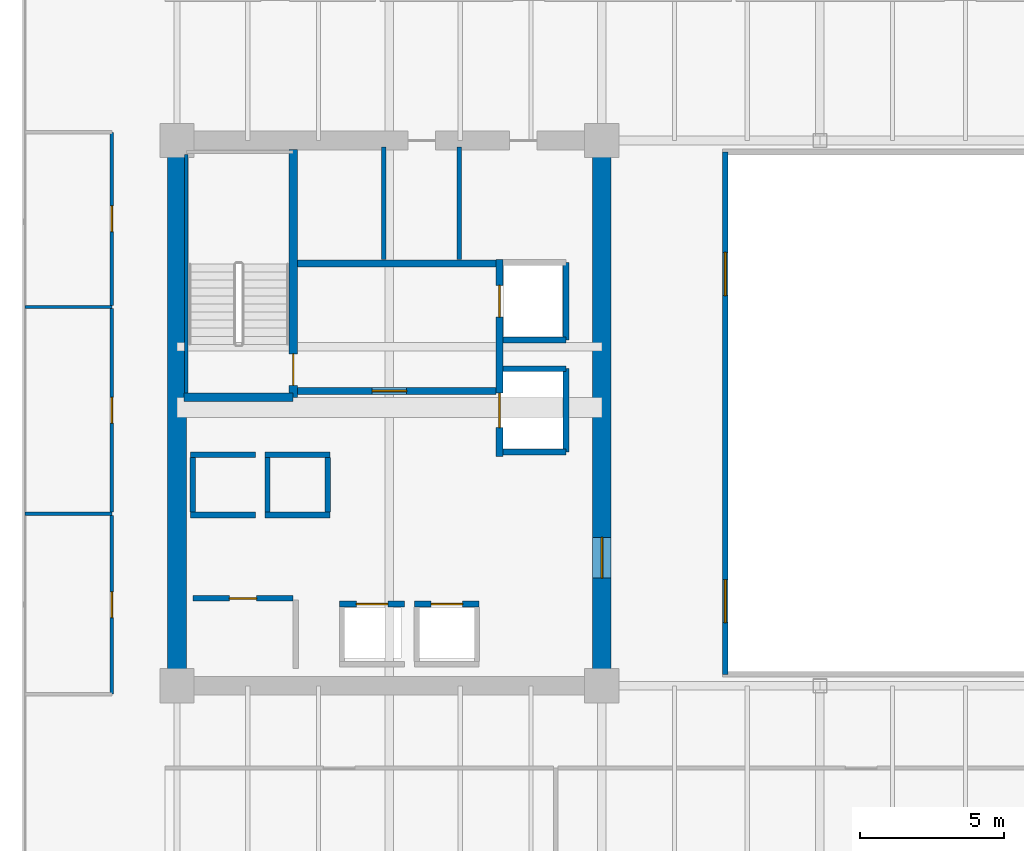
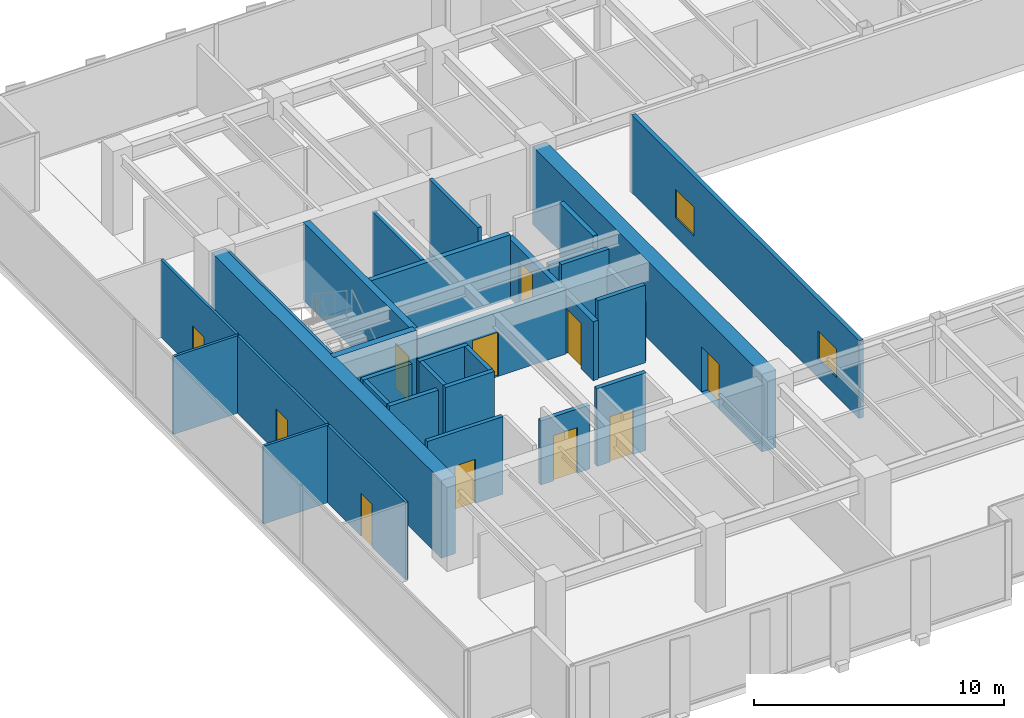
# One storey, part 25 of 34: 31 walls, 11 doors, 2 windows, 13 openings.
"""IFC4 building model written with IfcOpenShell, lengths in metres."""

import ifcopenshell
import ifcopenshell.guid

model = None  # the IFC model being written
_history = None  # IfcOwnerHistory: only IFC2X3 demands one
_inside = {}  # id of a spatial element -> (the spatial element, [elements in it])
_under = {}  # id of a project, library or spatial element -> (it, [spatial elements below it])
_declared = {}  # id of a project -> (the project, [libraries it declares])
_typed = {}  # id of a type object -> (the type object, [elements of that type])
_made_of = {}  # id of a material, layer set ... -> (it, [elements and type objects made of it])


def new_model(schema):
    """Start an empty IFC model of exactly this schema.

    Asked for "IFC4X3", IfcOpenShell would pick the latest addendum, in which some entities
    have other attributes; the version numbers below select the first issue.
    IFC2X3 requires an IfcOwnerHistory on every rooted entity: one is made here for all.
    """
    global model, _history
    if schema == "IFC4X3":
        model = ifcopenshell.file(schema_version=(4, 3, 0, 0))
    else:
        model = ifcopenshell.file(schema=schema)
    _inside.clear()
    _under.clear()
    _declared.clear()
    _typed.clear()
    _made_of.clear()
    _history = None
    if model.schema == "IFC2X3":
        org = make("IfcOrganization", Name="unknown")
        user = make(
            "IfcPersonAndOrganization",
            ThePerson=make("IfcPerson", FamilyName="unknown"),
            TheOrganization=org,
        )
        app = make(
            "IfcApplication",
            ApplicationDeveloper=org,
            Version="unknown",
            ApplicationFullName="unknown",
            ApplicationIdentifier="unknown",
        )
        _history = make(
            "IfcOwnerHistory",
            OwningUser=user,
            OwningApplication=app,
            ChangeAction="ADDED",
            CreationDate=0,
        )
    return model


def make(cls, **values):
    """One entity of the class cls with the attributes given. An attribute that is None is left unset."""
    return model.create_entity(
        cls, **{name: value for name, value in values.items() if value is not None}
    )


def rooted(cls, **values):
    """An entity with a GlobalId (a new one), such as an element, a storey or a relation."""
    return make(cls, GlobalId=ifcopenshell.guid.new(), OwnerHistory=_history, **values)


def si_unit(unit_type, name, prefix=None):
    """IfcSIUnit, for example si_unit("LENGTHUNIT", "METRE", prefix="MILLI")."""
    return make("IfcSIUnit", UnitType=unit_type, Prefix=prefix, Name=name)


def assignment(units):
    """IfcUnitAssignment: the units of a project."""
    return None if units is None else make("IfcUnitAssignment", Units=units)


def point(xyz):
    """IfcCartesianPoint."""
    return None if xyz is None else make("IfcCartesianPoint", Coordinates=xyz)


def direction(xyz):
    """IfcDirection."""
    return None if xyz is None else make("IfcDirection", DirectionRatios=xyz)


def frame(location, z_axis=None, x_axis=None):
    """IfcAxis2Placement3D, a coordinate frame: its origin and axes. An axis left out is left unset."""
    return make(
        "IfcAxis2Placement3D",
        Location=point(location),
        Axis=direction(z_axis),
        RefDirection=direction(x_axis),
    )


def frame_2d(location, x_axis=None):
    """IfcAxis2Placement2D, a coordinate frame in the plane: its origin and x axis."""
    return make(
        "IfcAxis2Placement2D", Location=point(location), RefDirection=direction(x_axis)
    )


def origin():
    """The frame at (0, 0, 0) with its axes left unset."""
    return frame((0.0, 0.0, 0.0))


def place(relative_to, where):
    """IfcLocalPlacement: puts the frame where relative to a parent placement (None: the world)."""
    return make(
        "IfcLocalPlacement", PlacementRelTo=relative_to, RelativePlacement=where
    )


def context(
    kind, dimensions, precision=None, world=None, true_north=None, identifier=None
):
    """IfcGeometricRepresentationContext, for example the 3D "Model" context."""
    return make(
        "IfcGeometricRepresentationContext",
        ContextIdentifier=identifier,
        ContextType=kind,
        CoordinateSpaceDimension=dimensions,
        Precision=precision,
        WorldCoordinateSystem=world,
        TrueNorth=true_north,
    )


def subcontext(parent, identifier, kind, view, scale=None):
    """IfcGeometricRepresentationSubContext, for example "Body" below "Model"."""
    return make(
        "IfcGeometricRepresentationSubContext",
        ContextIdentifier=identifier,
        ContextType=kind,
        ParentContext=parent,
        TargetScale=scale,
        TargetView=view,
    )


def project(units=None, contexts=None):
    """IfcProject with its units and contexts."""
    return rooted(
        "IfcProject",
        Name="project",
        RepresentationContexts=contexts,
        UnitsInContext=assignment(units),
    )


def spatial(cls, under=None, at=None, **own):
    """A site, building, storey or space (cls), placed at a placement, below another one or the project."""
    s = rooted(cls, ObjectPlacement=at, **own)
    if under is not None:
        _under.setdefault(under.id(), (under, []))[1].append(s)
    return s


def profile(cls, at=None, kind="AREA", **sizes):
    """A parametric profile (cls). Its sizes go by their IFC names, for example OverallWidth=200.0."""
    return make(cls, ProfileType=kind, Position=at, **sizes)


def rectangle(**sizes):
    """IfcRectangleProfileDef."""
    return profile("IfcRectangleProfileDef", **sizes)


def extrude(swept, where, along, depth):
    """IfcExtrudedAreaSolid: the profile swept, set in the frame where, extruded along a direction by depth."""
    return make(
        "IfcExtrudedAreaSolid",
        SweptArea=swept,
        Position=where,
        ExtrudedDirection=direction(along),
        Depth=depth,
    )


def shape(context_of_items, identifier, shape_type, items):
    """IfcShapeRepresentation: the items that make up one representation, for example the "Body"."""
    return make(
        "IfcShapeRepresentation",
        ContextOfItems=context_of_items,
        RepresentationIdentifier=identifier,
        RepresentationType=shape_type,
        Items=items,
    )


def source(mapping_origin, context_of_items, identifier, shape_type, items):
    """IfcRepresentationMap: a shape defined once, which mapped items show again and again."""
    return make(
        "IfcRepresentationMap",
        MappingOrigin=mapping_origin,
        MappedRepresentation=shape(context_of_items, identifier, shape_type, items),
    )


def transform(
    local_origin,
    x_axis=None,
    y_axis=None,
    z_axis=None,
    scale=None,
    scale2=None,
    scale3=None,
    uniform=True,
):
    """IfcCartesianTransformationOperator3D, or its non-uniform kind. x_axis, y_axis, z_axis: its Axis1, 2, 3."""
    if uniform:
        return make(
            "IfcCartesianTransformationOperator3D",
            Axis1=direction(x_axis),
            Axis2=direction(y_axis),
            LocalOrigin=point(local_origin),
            Scale=scale,
            Axis3=direction(z_axis),
        )
    return make(
        "IfcCartesianTransformationOperator3DnonUniform",
        Axis1=direction(x_axis),
        Axis2=direction(y_axis),
        LocalOrigin=point(local_origin),
        Scale=scale,
        Axis3=direction(z_axis),
        Scale2=scale2,
        Scale3=scale3,
    )


def mapped(mapping_source, mapping_target):
    """IfcMappedItem: shows the shape of a source again, moved by a transform."""
    return make(
        "IfcMappedItem", MappingSource=mapping_source, MappingTarget=mapping_target
    )


def material(Name=None, Category=None):
    """IfcMaterial."""
    return make("IfcMaterial", Name=Name, Category=Category)


def layer(
    of_material, thickness, ventilated=None, Name=None, Category=None, Priority=None
):
    """IfcMaterialLayer: one layer of a wall or slab, of a material (None: an air gap)."""
    return make(
        "IfcMaterialLayer",
        Material=of_material,
        LayerThickness=thickness,
        IsVentilated=ventilated,
        Name=Name,
        Category=Category,
        Priority=Priority,
    )


def layer_set(layers, Name=None):
    """IfcMaterialLayerSet."""
    return make("IfcMaterialLayerSet", MaterialLayers=layers, LayerSetName=Name)


def made_of(thing, what):
    """Note that an element or type object is made of a material, layer set ...; save() writes the relation."""
    if what is not None:
        _made_of.setdefault(what.id(), (what, []))[1].append(thing)
    return thing


def type_object(cls, material=None, **own):
    """A type object (cls), such as IfcWallType, which elements share."""
    return made_of(rooted(cls, **own), material)


def type_shapes(of_type, sources):
    """Give a type object the sources (RepresentationMaps) that its elements show as mapped items."""
    of_type.RepresentationMaps = sources


def element(
    cls,
    number,
    at=None,
    inside=None,
    cuts=None,
    type_object=None,
    material=None,
    context=None,
    identifier="Body",
    shape_type=None,
    held_by="IfcProductDefinitionShape",
    body=None,
    shapes=None,
    **own,
):
    """One element of the class cls, such as IfcWall. Its Tag is "e" and its number.

    at: its placement. inside: the storey or other place that contains it. cuts: it is an
    opening in that element (IfcRelVoidsElement). A single representation is given by context,
    identifier, shape_type and body (its items); several are given by shapes. held_by: the class
    of the entity that holds the representations. save() writes the other relations.
    """
    e = rooted(cls, Tag="e%d" % number, ObjectPlacement=at, **own)
    if body is not None:
        shapes = [shape(context, identifier, shape_type, body)]
    if shapes is not None:
        e.Representation = make(held_by, Representations=shapes)
    if inside is not None:
        _inside.setdefault(inside.id(), (inside, []))[1].append(e)
    if cuts is not None:
        rooted(
            "IfcRelVoidsElement", RelatingBuildingElement=cuts, RelatedOpeningElement=e
        )
    if type_object is not None:
        _typed.setdefault(type_object.id(), (type_object, []))[1].append(e)
    return made_of(e, material)


def fill(opening, filler):
    """IfcRelFillsElement: the door or window that sits in an opening."""
    return rooted(
        "IfcRelFillsElement",
        RelatingOpeningElement=opening,
        RelatedBuildingElement=filler,
    )


def aggregate(whole, parts):
    """IfcRelAggregates: a whole, such as a stair, and the parts it consists of."""
    return rooted("IfcRelAggregates", RelatingObject=whole, RelatedObjects=parts)


def save(model, path):
    """Write the relations noted so far, then the file.

    IfcRelAggregates (storeys below a building ...), IfcRelContainedInSpatialStructure (elements
    in a storey), IfcRelDefinesByType, IfcRelAssociatesMaterial and IfcRelDeclares: one each for
    every whole, place, type object, material and project.
    """
    for whole, parts in _under.values():
        aggregate(whole, parts)
    for where, things in _inside.values():
        rooted(
            "IfcRelContainedInSpatialStructure",
            RelatedElements=things,
            RelatingStructure=where,
        )
    for kind, things in _typed.values():
        rooted("IfcRelDefinesByType", RelatedObjects=things, RelatingType=kind)
    for what, things in _made_of.values():
        rooted("IfcRelAssociatesMaterial", RelatedObjects=things, RelatingMaterial=what)
    for by, libraries in _declared.values():
        rooted("IfcRelDeclares", RelatingContext=by, RelatedDefinitions=libraries)
    model.write(path)


model = new_model("IFC4")

# Units and contexts
model_context = context("Model", 3, precision=1e-05, world=origin(), true_north=direction((0.0, 1.0)))
body_context = subcontext(model_context, "Body", "Model", "MODEL_VIEW")
ifc_project = project(units=[si_unit("LENGTHUNIT", "METRE"), si_unit("AREAUNIT", "SQUARE_METRE"), si_unit("VOLUMEUNIT", "CUBIC_METRE"), si_unit("PLANEANGLEUNIT", "RADIAN"), si_unit("MASSUNIT", "GRAM", prefix="KILO")], contexts=[model_context])

# Site, building, storey
site_placement = place(None, origin())
site = spatial("IfcSite", under=ifc_project, at=site_placement, CompositionType="ELEMENT")
building_placement = place(site_placement, origin())
building = spatial("IfcBuilding", under=site, at=building_placement, Name="Haelvirn Gate Laboratories", CompositionType="ELEMENT")
storey_placement = place(building_placement, frame((0.0, 0.0, 109.199951171875)))
storey = spatial("IfcBuildingStorey", under=building, at=storey_placement, Name="L26", CompositionType="ELEMENT", Elevation=109.199951171875)

# Wall, openings, windows
ifc_material_1 = material(Name="Tempered fire-rated borosilicate glass & anodised aluminium", Category="aluminium")
ifc_layer_1 = layer(ifc_material_1, 0.195068359375, Name="IW-GLAZ-200")
ifc_layer_set_1 = layer_set([ifc_layer_1], Name="Tempered fire-rated borosilicate glass & anodised aluminium")
wall_type_1 = type_object("IfcWallType", Name="IW-GLAZ-200", PredefinedType="SOLIDWALL", material=ifc_layer_set_1)
wall_1_placement = place(storey_placement, frame((26.5, 15.199951171875, 0.0), z_axis=(0.0, 0.0, 1.0), x_axis=(0.0, 1.0, 0.0)))
wall_1 = element("IfcWall", 1, at=wall_1_placement, inside=storey, type_object=wall_type_1, Name="L26 Interior Wall IW-L26-ATRIUM-W", PredefinedType="SOLIDWALL", context=body_context, shape_type="SweptSolid", body=[
    extrude(rectangle(XDim=18.199951171875, YDim=0.195068359375, at=frame_2d((9.10009765625, 0.0))), origin(), (0.0, 0.0, 1.0), 3.7900390625),
])
opening_1_placement = place(wall_1_placement, frame((1.800048828125, 0.0, 0.89990234375)))
opening_1 = element("IfcOpeningElement", 2, at=opening_1_placement, cuts=wall_1, Name="Opening W5", PredefinedType="OPENING", context=body_context, shape_type="SweptSolid", body=[
    extrude(rectangle(XDim=1.5, YDim=1.39990234375, at=frame_2d((0.75, 0.699951171875))), frame((0.0, 0.107421875, 0.0), z_axis=(0.0, -1.0, 0.0), x_axis=(1.0, 0.0, 0.0)), (0.0, 0.0, 1.0), 0.215087890625),
])
opening_2_placement = place(wall_1_placement, frame((13.199951171875, 0.0, 0.89990234375)))
opening_2 = element("IfcOpeningElement", 3, at=opening_2_placement, cuts=wall_1, Name="Opening W5", PredefinedType="OPENING", context=body_context, shape_type="SweptSolid", body=[
    extrude(rectangle(XDim=1.5, YDim=1.39990234375, at=frame_2d((0.75, 0.699951171875))), frame((0.0, 0.107421875, 0.0), z_axis=(0.0, -1.0, 0.0), x_axis=(1.0, 0.0, 0.0)), (0.0, 0.0, 1.0), 0.215087890625),
])
ifc_material_2 = material(Name="Fire-rated EI 120 borosilicate atrium vision glazing", Category="glass")
window_type = type_object("IfcWindowType", Name="WN-ATR-1500", PartitioningType="SINGLE_PANEL", PredefinedType="WINDOW", material=ifc_material_2)
shared_shape_1 = source(origin(), body_context, "Body", "SweptSolid", [
    extrude(rectangle(XDim=1.5, YDim=1.39990234375, at=frame_2d((0.75, 0.699951171875))), frame((0.0, 0.030029296875, 0.0), z_axis=(0.0, -1.0, 0.0), x_axis=(1.0, 0.0, 0.0)), (0.0, 0.0, 1.0), 0.06005859375),
])
type_shapes(window_type, [shared_shape_1])
window_1_placement = place(opening_1_placement, origin())
window_1 = element("IfcWindow", 4, at=window_1_placement, inside=storey, type_object=window_type, Name="L26 Atrium Observation Window 1", OverallHeight=1.39990234375, OverallWidth=1.5, PartitioningType="SINGLE_PANEL", PredefinedType="WINDOW", context=body_context, shape_type="MappedRepresentation", body=[
    mapped(shared_shape_1, transform((0.0, 0.0, 0.0), scale=1.0)),
])
fill(opening_1, window_1)
window_2_placement = place(opening_2_placement, origin())
window_2 = element("IfcWindow", 5, at=window_2_placement, inside=storey, type_object=window_type, Name="L26 Atrium Observation Window 2", OverallHeight=1.39990234375, OverallWidth=1.5, PartitioningType="SINGLE_PANEL", PredefinedType="WINDOW", context=body_context, shape_type="MappedRepresentation", body=[
    mapped(shared_shape_1, transform((0.0, 0.0, 0.0), scale=1.0)),
])
fill(opening_2, window_2)

# Wall, opening, door
ifc_material_3 = material(Name="Lightweight acoustic gypsum board partition", Category="gypsum")
ifc_layer_2 = layer(ifc_material_3, 0.1201171875, Name="IW-PART-120")
ifc_layer_set_2 = layer_set([ifc_layer_2], Name="Lightweight acoustic gypsum board partition")
wall_type_2 = type_object("IfcWallType", Name="IW-PART-120", PredefinedType="PARTITIONING", material=ifc_layer_set_2)
wall_2_placement = place(storey_placement, frame((5.1298828125, 14.514892578125, 0.0), z_axis=(0.0, 0.0, 1.0), x_axis=(0.0, 1.0, 0.0)))
wall_2 = element("IfcWall", 6, at=wall_2_placement, inside=storey, type_object=wall_type_2, Name="L26 Interior Wall IW-L26-WPASS-01", PredefinedType="PARTITIONING", context=body_context, shape_type="SweptSolid", body=[
    extrude(rectangle(XDim=6.22509765625, YDim=0.1201171875, at=frame_2d((3.112548828125, 0.0))), origin(), (0.0, 0.0, 1.0), 3.7900390625),
])
opening_3_placement = place(wall_2_placement, frame((2.66259765625, 0.0, 0.0)))
opening_3 = element("IfcOpeningElement", 7, at=opening_3_placement, cuts=wall_2, Name="Opening D4", PredefinedType="OPENING", context=body_context, shape_type="SweptSolid", body=[
    extrude(rectangle(XDim=0.89990234375, YDim=2.10009765625, at=frame_2d((0.449951171875, 1.050048828125))), frame((0.0, 0.070068359375, 0.0), z_axis=(0.0, -1.0, 0.0), x_axis=(1.0, 0.0, 0.0)), (0.0, 0.0, 1.0), 0.14013671875),
])
ifc_material_4 = material(Name="Glazed aluminium-framed write-up door", Category="aluminium")
door_type_1 = type_object("IfcDoorType", Name="DR-OFF-900", OperationType="NOTDEFINED", PredefinedType="DOOR", material=ifc_material_4)
shared_shape_2 = source(origin(), body_context, "Body", "SweptSolid", [
    extrude(rectangle(XDim=0.89990234375, YDim=2.10009765625, at=frame_2d((0.449951171875, 1.050048828125))), frame((0.0, 0.02490234375, 0.0), z_axis=(0.0, -1.0, 0.0), x_axis=(1.0, 0.0, 0.0)), (0.0, 0.0, 1.0), 0.050048828125),
])
type_shapes(door_type_1, [shared_shape_2])
door_1_placement = place(opening_3_placement, origin())
door_1 = element("IfcDoor", 8, at=door_1_placement, inside=storey, type_object=door_type_1, Name="L26 Researcher Break Pantry Door W1", OperationType="SINGLE_SWING_LEFT", OverallHeight=2.10009765625, OverallWidth=0.89990234375, PredefinedType="DOOR", context=body_context, shape_type="MappedRepresentation", body=[
    mapped(shared_shape_2, transform((0.0, 0.0, 0.0), scale=1.0)),
])
fill(opening_3, door_1)

# Wall
wall_3_placement = place(storey_placement, frame((2.110107421875, 20.800048828125, 0.0), z_axis=(0.0, 0.0, 1.0), x_axis=(1.0, 0.0, 0.0)))
element("IfcWall", 9, at=wall_3_placement, inside=storey, type_object=wall_type_2, Name="L26 Interior Wall IW-L26-WDIV-01", PredefinedType="PARTITIONING", context=body_context, shape_type="SweptSolid", body=[
    extrude(rectangle(XDim=3.019775390625, YDim=0.1201171875, at=frame_2d((1.509765625, 0.0))), origin(), (0.0, 0.0, 1.0), 3.7900390625),
])

# Wall, opening, door
wall_4_placement = place(storey_placement, frame((5.1298828125, 20.860107421875, 0.0), z_axis=(0.0, 0.0, 1.0), x_axis=(0.0, 1.0, 0.0)))
wall_4 = element("IfcWall", 10, at=wall_4_placement, inside=storey, type_object=wall_type_2, Name="L26 Interior Wall IW-L26-WPASS-02", PredefinedType="PARTITIONING", context=body_context, shape_type="SweptSolid", body=[
    extrude(rectangle(XDim=7.079833984375, YDim=0.1201171875, at=frame_2d((3.5400390625, 0.0))), origin(), (0.0, 0.0, 1.0), 3.7900390625),
])
opening_4_placement = place(wall_4_placement, frame((3.090087890625, 0.0, 0.0)))
opening_4 = element("IfcOpeningElement", 11, at=opening_4_placement, cuts=wall_4, Name="Opening D4", PredefinedType="OPENING", context=body_context, shape_type="SweptSolid", body=[
    extrude(rectangle(XDim=0.89990234375, YDim=2.10009765625, at=frame_2d((0.449951171875, 1.050048828125))), frame((0.0, 0.070068359375, 0.0), z_axis=(0.0, -1.0, 0.0), x_axis=(1.0, 0.0, 0.0)), (0.0, 0.0, 1.0), 0.14013671875),
])
door_2_placement = place(opening_4_placement, origin())
door_2 = element("IfcDoor", 12, at=door_2_placement, inside=storey, type_object=door_type_1, Name="L26 Proteomics Mass-Spec Laboratory Door W2", OperationType="SINGLE_SWING_RIGHT", OverallHeight=2.10009765625, OverallWidth=0.89990234375, PredefinedType="DOOR", context=body_context, shape_type="MappedRepresentation", body=[
    mapped(shared_shape_2, transform((0.0, 0.0, 0.0), scale=1.0)),
])
fill(opening_4, door_2)

# Wall
wall_5_placement = place(storey_placement, frame((2.110107421875, 28.0, 0.0), z_axis=(0.0, 0.0, 1.0), x_axis=(1.0, 0.0, 0.0)))
element("IfcWall", 13, at=wall_5_placement, inside=storey, type_object=wall_type_2, Name="L26 Interior Wall IW-L26-WDIV-02", PredefinedType="PARTITIONING", context=body_context, shape_type="SweptSolid", body=[
    extrude(rectangle(XDim=3.019775390625, YDim=0.1201171875, at=frame_2d((1.509765625, 0.0))), origin(), (0.0, 0.0, 1.0), 3.7900390625),
])

# Wall, opening, door
wall_6_placement = place(storey_placement, frame((5.1298828125, 28.06005859375, 0.0), z_axis=(0.0, 0.0, 1.0), x_axis=(0.0, 1.0, 0.0)))
wall_6 = element("IfcWall", 14, at=wall_6_placement, inside=storey, type_object=wall_type_2, Name="L26 Interior Wall IW-L26-WPASS-03", PredefinedType="PARTITIONING", context=body_context, shape_type="SweptSolid", body=[
    extrude(rectangle(XDim=6.02490234375, YDim=0.1201171875, at=frame_2d((3.012451171875, 0.0))), origin(), (0.0, 0.0, 1.0), 3.7900390625),
])
opening_5_placement = place(wall_6_placement, frame((2.5625, 0.0, 0.0)))
opening_5 = element("IfcOpeningElement", 15, at=opening_5_placement, cuts=wall_6, Name="Opening D4", PredefinedType="OPENING", context=body_context, shape_type="SweptSolid", body=[
    extrude(rectangle(XDim=0.89990234375, YDim=2.10009765625, at=frame_2d((0.449951171875, 1.050048828125))), frame((0.0, 0.070068359375, 0.0), z_axis=(0.0, -1.0, 0.0), x_axis=(1.0, 0.0, 0.0)), (0.0, 0.0, 1.0), 0.14013671875),
])
door_3_placement = place(opening_5_placement, origin())
door_3 = element("IfcDoor", 16, at=door_3_placement, inside=storey, type_object=door_type_1, Name="L26 Chemical Synthesis Laboratory Door W3", OperationType="SINGLE_SWING_LEFT", OverallHeight=2.10009765625, OverallWidth=0.89990234375, PredefinedType="DOOR", context=body_context, shape_type="MappedRepresentation", body=[
    mapped(shared_shape_2, transform((0.0, 0.0, 0.0), scale=1.0)),
])
fill(opening_5, door_3)

# Walls
ifc_material_5 = material(Name="Cement-board restroom plumbing chase wall", Category="gypsum")
ifc_layer_3 = layer(ifc_material_5, 0.155029296875, Name="IW-PLUMB-160")
ifc_layer_set_3 = layer_set([ifc_layer_3], Name="Cement-board restroom plumbing chase wall")
wall_type_3 = type_object("IfcWallType", Name="IW-PLUMB-160", PredefinedType="PLUMBINGWALL", material=ifc_layer_set_3)
wall_7_placement = place(storey_placement, frame((14.610107421875, 29.64990234375, 0.0), z_axis=(0.0, 0.0, 1.0), x_axis=(0.0, 1.0, 0.0)))
element("IfcWall", 17, at=wall_7_placement, inside=storey, type_object=wall_type_3, Name="L26 Interior Wall IW-L26-W-CDIV-0", PredefinedType="PLUMBINGWALL", context=body_context, shape_type="SweptSolid", body=[
    extrude(rectangle(XDim=3.93017578125, YDim=0.155029296875, at=frame_2d((1.965087890625, 0.0))), origin(), (0.0, 0.0, 1.0), 3.125),
])
wall_8_placement = place(storey_placement, frame((17.239990234375, 29.64990234375, 0.0), z_axis=(0.0, 0.0, 1.0), x_axis=(0.0, 1.0, 0.0)))
element("IfcWall", 18, at=wall_8_placement, inside=storey, type_object=wall_type_3, Name="L26 Interior Wall IW-L26-W-CDIV-1", PredefinedType="PLUMBINGWALL", context=body_context, shape_type="SweptSolid", body=[
    extrude(rectangle(XDim=3.93017578125, YDim=0.155029296875, at=frame_2d((1.965087890625, 0.0))), origin(), (0.0, 0.0, 1.0), 3.7900390625),
])
ifc_material_6 = material(Name="Concrete C40/50", Category="concrete")
ifc_layer_4 = layer(ifc_material_6, 0.179931640625, Name="IW-SHAFT-180")
ifc_layer_set_4 = layer_set([ifc_layer_4], Name="Concrete C40/50")
wall_type_4 = type_object("IfcWallType", Name="IW-SHAFT-180", PredefinedType="SOLIDWALL", material=ifc_layer_set_4)
for number, where, z_axis, x_axis, name in (
    (19, (7.949951171875, 20.85009765625, 0.0), (0.0, 0.0, 1.0), (0.0, 1.0, 0.0), "L26 Interior Wall IW-L26-PL9-SD"),
    (20, (10.550048828125, 20.85009765625, 0.0), (0.0, 0.0, 1.0), (0.0, 1.0, 0.0), "L26 Interior Wall IW-L26-PL10-SD"),
    (21, (12.64990234375, 20.85009765625, 0.0), (0.0, 0.0, 1.0), (0.0, 1.0, 0.0), "L26 Interior Wall IW-L26-PL10-SDE"),
):
    element("IfcWall", number, at=place(storey_placement, frame(where, z_axis=z_axis, x_axis=x_axis)), inside=storey, type_object=wall_type_4, Name=name, PredefinedType="SOLIDWALL", context=body_context, shape_type="SweptSolid", body=[
        extrude(rectangle(XDim=1.89990234375, YDim=0.179931640625, at=frame_2d((0.949951171875, 0.0))), origin(), (0.0, 0.0, 1.0), 3.7900390625),
    ])

# Wall, opening, door
wall_9_placement = place(storey_placement, frame((7.949951171875, 17.85009765625, 0.0), z_axis=(0.0, 0.0, 1.0), x_axis=(1.0, 0.0, 0.0)))
wall_9 = element("IfcWall", 22, at=wall_9_placement, inside=storey, type_object=wall_type_4, Name="L26 Interior Wall IW-L26-W-FREED-LN-1", PredefinedType="SOLIDWALL", context=body_context, shape_type="SweptSolid", body=[
    extrude(rectangle(XDim=3.5, YDim=0.179931640625, at=frame_2d((1.75, 0.0))), origin(), (0.0, 0.0, 1.0), 3.7900390625),
])
opening_6_placement = place(wall_9_placement, frame((1.27490234375, 0.0, 0.0)))
opening_6 = element("IfcOpeningElement", 23, at=opening_6_placement, cuts=wall_9, Name="Opening FD4", PredefinedType="OPENING", context=body_context, shape_type="SweptSolid", body=[
    extrude(rectangle(XDim=0.949951171875, YDim=2.14990234375, at=frame_2d((0.47509765625, 1.074951171875))), frame((0.0, 0.10009765625, 0.0), z_axis=(0.0, -1.0, 0.0), x_axis=(1.0, 0.0, 0.0)), (0.0, 0.0, 1.0), 0.199951171875),
])
ifc_material_7 = material(Name="Fire-rated steel SM355 core service door", Category="steel")
door_type_2 = type_object("IfcDoorType", Name="DR-FD-950", OperationType="NOTDEFINED", PredefinedType="DOOR", material=ifc_material_7)
shared_shape_3 = source(origin(), body_context, "Body", "SweptSolid", [
    extrude(rectangle(XDim=0.949951171875, YDim=2.14990234375, at=frame_2d((0.47509765625, 1.074951171875))), frame((0.0, 0.02490234375, 0.0), z_axis=(0.0, -1.0, 0.0), x_axis=(1.0, 0.0, 0.0)), (0.0, 0.0, 1.0), 0.050048828125),
])
type_shapes(door_type_2, [shared_shape_3])
door_4_placement = place(opening_6_placement, origin())
door_4 = element("IfcDoor", 24, at=door_4_placement, inside=storey, type_object=door_type_2, Name="L26 Core Calibration Room Door", OperationType="SINGLE_SWING_LEFT", OverallHeight=2.14990234375, OverallWidth=0.949951171875, PredefinedType="DOOR", context=body_context, shape_type="MappedRepresentation", body=[
    mapped(shared_shape_3, transform((0.0, 0.0, 0.0), scale=1.0)),
])
fill(opening_6, door_4)

ifc_layer_5 = layer(ifc_material_6, 0.199951171875, Name="IW-SHAFT-200")
ifc_layer_set_5 = layer_set([ifc_layer_5], Name="Concrete C40/50")
wall_type_5 = type_object("IfcWallType", Name="IW-SHAFT-200", PredefinedType="SOLIDWALL", material=ifc_layer_set_5)
wall_10_placement = place(storey_placement, frame((13.070068359375, 17.64990234375, 0.0), z_axis=(0.0, 0.0, 1.0), x_axis=(1.0, 0.0, 0.0)))
wall_10 = element("IfcWall", 25, at=wall_10_placement, inside=storey, type_object=wall_type_5, Name="L26 Interior Wall IW-L26-PL5-FR", PredefinedType="SOLIDWALL", context=body_context, shape_type="SweptSolid", body=[
    extrude(rectangle(XDim=2.260009765625, YDim=0.199951171875, at=frame_2d((1.1298828125, 0.0))), origin(), (0.0, 0.0, 1.0), 3.125),
])
opening_7_placement = place(wall_10_placement, frame((0.580078125, 0.0, 0.0)))
opening_7 = element("IfcOpeningElement", 26, at=opening_7_placement, cuts=wall_10, Name="Opening LD2", PredefinedType="OPENING", context=body_context, shape_type="SweptSolid", body=[
    extrude(rectangle(XDim=1.10009765625, YDim=2.219970703125, at=frame_2d((0.550048828125, 1.10986328125))), frame((0.0, 0.10986328125, 0.0), z_axis=(0.0, -1.0, 0.0), x_axis=(1.0, 0.0, 0.0)), (0.0, 0.0, 1.0), 0.219970703125),
])
ifc_material_8 = material(Name="Bronze stainless 316L sliding lift landing door")
door_type_3 = type_object("IfcDoorType", Name="DR-LD-1100", OperationType="NOTDEFINED", PredefinedType="USERDEFINED", material=ifc_material_8)
shared_shape_4 = source(origin(), body_context, "Body", "SweptSolid", [
    extrude(rectangle(XDim=1.10009765625, YDim=2.219970703125, at=frame_2d((0.550048828125, 1.10986328125))), frame((0.0, 0.02490234375, 0.0), z_axis=(0.0, -1.0, 0.0), x_axis=(1.0, 0.0, 0.0)), (0.0, 0.0, 1.0), 0.050048828125),
])
type_shapes(door_type_3, [shared_shape_4])
door_5_placement = place(opening_7_placement, origin())
door_5 = element("IfcDoor", 27, at=door_5_placement, inside=storey, type_object=door_type_3, Name="L26 Passenger Lift PL5 Landing Door", ObjectType="LANDING_DOOR", OperationType="SLIDING_TO_LEFT", OverallHeight=2.219970703125, OverallWidth=1.10009765625, PredefinedType="USERDEFINED", context=body_context, shape_type="MappedRepresentation", body=[
    mapped(shared_shape_4, transform((0.0, 0.0, 0.0), scale=1.0)),
])
fill(opening_7, door_5)

wall_11_placement = place(storey_placement, frame((15.669921875, 17.64990234375, 0.0), z_axis=(0.0, 0.0, 1.0), x_axis=(1.0, 0.0, 0.0)))
wall_11 = element("IfcWall", 28, at=wall_11_placement, inside=storey, type_object=wall_type_5, Name="L26 Interior Wall IW-L26-PL6-FR", PredefinedType="SOLIDWALL", context=body_context, shape_type="SweptSolid", body=[
    extrude(rectangle(XDim=2.260009765625, YDim=0.199951171875, at=frame_2d((1.1298828125, 0.0))), origin(), (0.0, 0.0, 1.0), 3.7900390625),
])
opening_8_placement = place(wall_11_placement, frame((0.580078125, 0.0, 0.0)))
opening_8 = element("IfcOpeningElement", 29, at=opening_8_placement, cuts=wall_11, Name="Opening LD2", PredefinedType="OPENING", context=body_context, shape_type="SweptSolid", body=[
    extrude(rectangle(XDim=1.10009765625, YDim=2.219970703125, at=frame_2d((0.550048828125, 1.10986328125))), frame((0.0, 0.10986328125, 0.0), z_axis=(0.0, -1.0, 0.0), x_axis=(1.0, 0.0, 0.0)), (0.0, 0.0, 1.0), 0.219970703125),
])
door_6_placement = place(opening_8_placement, origin())
door_6 = element("IfcDoor", 30, at=door_6_placement, inside=storey, type_object=door_type_3, Name="L26 Passenger Lift PL6 Landing Door", ObjectType="LANDING_DOOR", OperationType="SLIDING_TO_RIGHT", OverallHeight=2.219970703125, OverallWidth=1.10009765625, PredefinedType="USERDEFINED", context=body_context, shape_type="MappedRepresentation", body=[
    mapped(shared_shape_4, transform((0.0, 0.0, 0.0), scale=1.0)),
])
fill(opening_8, door_6)

# Walls
for number, where, z_axis, x_axis, name in (
    (31, (7.8701171875, 20.75, 0.0), (0.0, 0.0, 1.0), (1.0, 0.0, 0.0), "L26 Interior Wall IW-L26-PL9-FR"),
    (32, (7.8701171875, 22.85009765625, 0.0), (0.0, 0.0, 1.0), (1.0, 0.0, 0.0), "L26 Interior Wall IW-L26-PL9-BK"),
):
    element("IfcWall", number, at=place(storey_placement, frame(where, z_axis=z_axis, x_axis=x_axis)), inside=storey, type_object=wall_type_5, Name=name, PredefinedType="SOLIDWALL", context=body_context, shape_type="SweptSolid", body=[
        extrude(rectangle(XDim=2.259765625, YDim=0.199951171875, at=frame_2d((1.1298828125, 0.0))), origin(), (0.0, 0.0, 1.0), 3.7900390625),
    ])
for number, where, z_axis, x_axis, name in (
    (33, (10.469970703125, 20.75, 0.0), (0.0, 0.0, 1.0), (1.0, 0.0, 0.0), "L26 Interior Wall IW-L26-PL10-FR"),
    (34, (10.469970703125, 22.85009765625, 0.0), (0.0, 0.0, 1.0), (1.0, 0.0, 0.0), "L26 Interior Wall IW-L26-PL10-BK"),
):
    element("IfcWall", number, at=place(storey_placement, frame(where, z_axis=z_axis, x_axis=x_axis)), inside=storey, type_object=wall_type_5, Name=name, PredefinedType="SOLIDWALL", context=body_context, shape_type="SweptSolid", body=[
        extrude(rectangle(XDim=2.260009765625, YDim=0.199951171875, at=frame_2d((1.1298828125, 0.0))), origin(), (0.0, 0.0, 1.0), 3.7900390625),
    ])
wall_12_placement = place(storey_placement, frame((20.949951171875, 26.85009765625, 0.0), z_axis=(0.0, 0.0, 1.0), x_axis=(0.0, 1.0, 0.0)))
element("IfcWall", 35, at=wall_12_placement, inside=storey, type_object=wall_type_5, Name="L26 Interior Wall IW-L26-FL1-BK", PredefinedType="SOLIDWALL", context=body_context, shape_type="SweptSolid", body=[
    extrude(rectangle(XDim=2.699951171875, YDim=0.199951171875, at=frame_2d((1.35009765625, 0.0))), origin(), (0.0, 0.0, 1.0), 3.7900390625),
])
wall_13_placement = place(storey_placement, frame((18.760009765625, 26.85009765625, 0.0), z_axis=(0.0, 0.0, 1.0), x_axis=(1.0, 0.0, 0.0)))
element("IfcWall", 36, at=wall_13_placement, inside=storey, type_object=wall_type_5, Name="L26 Interior Wall IW-L26-FL1-S", PredefinedType="SOLIDWALL", context=body_context, shape_type="SweptSolid", body=[
    extrude(rectangle(XDim=2.18994140625, YDim=0.199951171875, at=frame_2d((1.094970703125, 0.0))), origin(), (0.0, 0.0, 1.0), 3.18701171875),
])
wall_14_placement = place(storey_placement, frame((20.949951171875, 22.949951171875, 0.0), z_axis=(0.0, 0.0, 1.0), x_axis=(0.0, 1.0, 0.0)))
element("IfcWall", 37, at=wall_14_placement, inside=storey, type_object=wall_type_5, Name="L26 Interior Wall IW-L26-SL1-BK", PredefinedType="SOLIDWALL", context=body_context, shape_type="SweptSolid", body=[
    extrude(rectangle(XDim=2.900146484375, YDim=0.199951171875, at=frame_2d((1.4501953125, 0.0))), origin(), (0.0, 0.0, 1.0), 2.875),
])
for number, where, z_axis, x_axis, name in (
    (38, (18.760009765625, 25.85009765625, 0.0), (0.0, 0.0, 1.0), (1.0, 0.0, 0.0), "L26 Interior Wall IW-L26-SL1-N"),
    (39, (18.760009765625, 22.949951171875, 0.0), (0.0, 0.0, 1.0), (1.0, 0.0, 0.0), "L26 Interior Wall IW-L26-SL1-S"),
):
    element("IfcWall", number, at=place(storey_placement, frame(where, z_axis=z_axis, x_axis=x_axis)), inside=storey, type_object=wall_type_5, Name=name, PredefinedType="SOLIDWALL", context=body_context, shape_type="SweptSolid", body=[
        extrude(rectangle(XDim=2.18994140625, YDim=0.199951171875, at=frame_2d((1.094970703125, 0.0))), origin(), (0.0, 0.0, 1.0), 3.7900390625),
    ])

# Wall, opening, door
ifc_layer_6 = layer(ifc_material_6, 0.239990234375, Name="IW-SHAFT-240")
ifc_layer_set_6 = layer_set([ifc_layer_6], Name="Concrete C40/50")
wall_type_6 = type_object("IfcWallType", Name="IW-SHAFT-240", PredefinedType="SOLIDWALL", material=ifc_layer_set_6)
wall_15_placement = place(storey_placement, frame((11.60009765625, 25.080078125, 0.0), z_axis=(0.0, 0.0, 1.0), x_axis=(1.0, 0.0, 0.0)))
wall_15 = element("IfcWall", 40, at=wall_15_placement, inside=storey, type_object=wall_type_6, Name="L26 Interior Wall IW-L26-W-FF-S", PredefinedType="SOLIDWALL", context=body_context, shape_type="SweptSolid", body=[
    extrude(rectangle(XDim=6.919921875, YDim=0.239990234375, at=frame_2d((3.4599609375, 0.0))), origin(), (0.0, 0.0, 1.0), 3.125),
])
opening_9_placement = place(wall_15_placement, frame((2.60009765625, 0.0, 0.0)))
opening_9 = element("IfcOpeningElement", 41, at=opening_9_placement, cuts=wall_15, Name="Opening FD2", PredefinedType="OPENING", context=body_context, shape_type="SweptSolid", body=[
    extrude(rectangle(XDim=1.199951171875, YDim=2.159912109375, at=frame_2d((0.60009765625, 1.080078125))), frame((0.0, 0.1298828125, 0.0), z_axis=(0.0, -1.0, 0.0), x_axis=(1.0, 0.0, 0.0)), (0.0, 0.0, 1.0), 0.260009765625),
])
ifc_material_9 = material(Name="Fire-rated steel SM355 compartment door", Category="steel")
door_type_4 = type_object("IfcDoorType", Name="DR-FD-1200", OperationType="NOTDEFINED", PredefinedType="DOOR", material=ifc_material_9)
shared_shape_5 = source(origin(), body_context, "Body", "SweptSolid", [
    extrude(rectangle(XDim=1.199951171875, YDim=2.159912109375, at=frame_2d((0.60009765625, 1.080078125))), frame((0.0, 0.02490234375, 0.0), z_axis=(0.0, -1.0, 0.0), x_axis=(1.0, 0.0, 0.0)), (0.0, 0.0, 1.0), 0.050048828125),
])
type_shapes(door_type_4, [shared_shape_5])
door_7_placement = place(opening_9_placement, origin())
door_7 = element("IfcDoor", 42, at=door_7_placement, inside=storey, type_object=door_type_4, Name="L26 West Firefighting Lobby Door", OperationType="SINGLE_SWING_RIGHT", OverallHeight=2.159912109375, OverallWidth=1.199951171875, PredefinedType="DOOR", context=body_context, shape_type="MappedRepresentation", body=[
    mapped(shared_shape_5, transform((0.0, 0.0, 0.0), scale=1.0)),
])
fill(opening_9, door_7)

# Wall
wall_16_placement = place(storey_placement, frame((11.60009765625, 29.52001953125, 0.0), z_axis=(0.0, 0.0, 1.0), x_axis=(1.0, 0.0, 0.0)))
element("IfcWall", 43, at=wall_16_placement, inside=storey, type_object=wall_type_6, Name="L26 Interior Wall IW-L26-W-FF-N", PredefinedType="SOLIDWALL", context=body_context, shape_type="SweptSolid", body=[
    extrude(rectangle(XDim=6.919921875, YDim=0.239990234375, at=frame_2d((3.4599609375, 0.0))), origin(), (0.0, 0.0, 1.0), 3.125),
])

# Wall, openings, doors
wall_17_placement = place(storey_placement, frame((18.639892578125, 22.800048828125, 0.0), z_axis=(0.0, 0.0, 1.0), x_axis=(0.0, 1.0, 0.0)))
wall_17 = element("IfcWall", 44, at=wall_17_placement, inside=storey, type_object=wall_type_6, Name="L26 Interior Wall IW-L26-W-FF-E", PredefinedType="SOLIDWALL", context=body_context, shape_type="SweptSolid", body=[
    extrude(rectangle(XDim=6.849853515625, YDim=0.239990234375, at=frame_2d((3.4248046875, 0.0))), origin(), (0.0, 0.0, 1.0), 2.875),
])
opening_10_placement = place(wall_17_placement, frame((4.85009765625, 0.0, 0.0)))
opening_10 = element("IfcOpeningElement", 45, at=opening_10_placement, cuts=wall_17, Name="Opening LD2", PredefinedType="OPENING", context=body_context, shape_type="SweptSolid", body=[
    extrude(rectangle(XDim=1.10009765625, YDim=2.219970703125, at=frame_2d((0.550048828125, 1.10986328125))), frame((0.0, 0.1298828125, 0.0), z_axis=(0.0, -1.0, 0.0), x_axis=(1.0, 0.0, 0.0)), (0.0, 0.0, 1.0), 0.260009765625),
])
opening_11_placement = place(wall_17_placement, frame((1.0, 0.0, 0.0)))
opening_11 = element("IfcOpeningElement", 46, at=opening_11_placement, cuts=wall_17, Name="Opening LD1", PredefinedType="OPENING", context=body_context, shape_type="SweptSolid", body=[
    extrude(rectangle(XDim=1.199951171875, YDim=2.219970703125, at=frame_2d((0.60009765625, 1.10986328125))), frame((0.0, 0.1298828125, 0.0), z_axis=(0.0, -1.0, 0.0), x_axis=(1.0, 0.0, 0.0)), (0.0, 0.0, 1.0), 0.260009765625),
])
door_8_placement = place(opening_10_placement, origin())
door_8 = element("IfcDoor", 47, at=door_8_placement, inside=storey, type_object=door_type_3, Name="L26 Firefighting Lift FL1 Landing Door", ObjectType="LANDING_DOOR", OperationType="SLIDING_TO_LEFT", OverallHeight=2.219970703125, OverallWidth=1.10009765625, PredefinedType="USERDEFINED", context=body_context, shape_type="MappedRepresentation", body=[
    mapped(shared_shape_4, transform((0.0, 0.0, 0.0), scale=1.0)),
])
fill(opening_10, door_8)
ifc_material_10 = material(Name="Stainless steel 316L sliding goods landing door", Category="steel")
door_type_5 = type_object("IfcDoorType", Name="DR-LD-1200", OperationType="NOTDEFINED", PredefinedType="USERDEFINED", material=ifc_material_10)
shared_shape_6 = source(origin(), body_context, "Body", "SweptSolid", [
    extrude(rectangle(XDim=1.199951171875, YDim=2.219970703125, at=frame_2d((0.60009765625, 1.10986328125))), frame((0.0, 0.02490234375, 0.0), z_axis=(0.0, -1.0, 0.0), x_axis=(1.0, 0.0, 0.0)), (0.0, 0.0, 1.0), 0.050048828125),
])
type_shapes(door_type_5, [shared_shape_6])
door_9_placement = place(opening_11_placement, origin())
door_9 = element("IfcDoor", 48, at=door_9_placement, inside=storey, type_object=door_type_5, Name="L26 Service Lift SL1 Landing Door", ObjectType="LANDING_DOOR", OperationType="SLIDING_TO_RIGHT", OverallHeight=2.219970703125, OverallWidth=1.199951171875, PredefinedType="USERDEFINED", context=body_context, shape_type="MappedRepresentation", body=[
    mapped(shared_shape_6, transform((0.0, 0.0, 0.0), scale=1.0)),
])
fill(opening_11, door_9)

# Wall
ifc_material_11 = material(Name="Concrete C60/75", Category="concrete")
ifc_layer_7 = layer(ifc_material_11, 0.64990234375, Name="SW-CORE-650")
ifc_layer_set_7 = layer_set([ifc_layer_7], Name="Concrete C60/75")
wall_type_7 = type_object("IfcWallType", Name="SW-CORE-650", PredefinedType="SHEAR", material=ifc_layer_set_7)
wall_18_placement = place(storey_placement, frame((7.39990234375, 15.125, 0.0), z_axis=(0.0, 0.0, 1.0), x_axis=(0.0, 1.0, 0.0)))
element("IfcWall", 49, at=wall_18_placement, inside=storey, type_object=wall_type_7, Name="L26 W Core Shear Wall W", PredefinedType="SHEAR", context=body_context, shape_type="SweptSolid", body=[
    extrude(rectangle(XDim=18.35009765625, YDim=0.64990234375, at=frame_2d((9.175048828125, 0.0))), origin(), (0.0, 0.0, 1.0), 3.7900390625),
])

# Wall, opening, door
wall_19_placement = place(storey_placement, frame((22.199951171875, 15.125, 0.0), z_axis=(0.0, 0.0, 1.0), x_axis=(0.0, 1.0, 0.0)))
wall_19 = element("IfcWall", 50, at=wall_19_placement, inside=storey, type_object=wall_type_7, Name="L26 W Core Shear Wall E", PredefinedType="SHEAR", context=body_context, shape_type="SweptSolid", body=[
    extrude(rectangle(XDim=18.35009765625, YDim=0.64990234375, at=frame_2d((9.175048828125, 0.0))), origin(), (0.0, 0.0, 1.0), 3.7900390625),
])
opening_12_placement = place(wall_19_placement, frame((3.425048828125, 0.0, 0.0)))
opening_12 = element("IfcOpeningElement", 51, at=opening_12_placement, cuts=wall_19, Name="Opening FD1", PredefinedType="OPENING", context=body_context, shape_type="SweptSolid", body=[
    extrude(rectangle(XDim=1.419921875, YDim=2.199951171875, at=frame_2d((0.7099609375, 1.10009765625))), frame((0.0, 0.3349609375, 0.0), z_axis=(0.0, -1.0, 0.0), x_axis=(1.0, 0.0, 0.0)), (0.0, 0.0, 1.0), 0.669921875),
])
ifc_material_12 = material(Name="Fire-rated double steel SM355 lobby door", Category="steel")
door_type_6 = type_object("IfcDoorType", Name="DR-FD-1400", OperationType="NOTDEFINED", PredefinedType="DOOR", material=ifc_material_12)
shared_shape_7 = source(origin(), body_context, "Body", "SweptSolid", [
    extrude(rectangle(XDim=1.419921875, YDim=2.199951171875, at=frame_2d((0.7099609375, 1.10009765625))), frame((0.0, 0.02490234375, 0.0), z_axis=(0.0, -1.0, 0.0), x_axis=(1.0, 0.0, 0.0)), (0.0, 0.0, 1.0), 0.050048828125),
])
type_shapes(door_type_6, [shared_shape_7])
door_10_placement = place(opening_12_placement, origin())
door_10 = element("IfcDoor", 52, at=door_10_placement, inside=storey, type_object=door_type_6, Name="L26 West Core Lift Lobby Fire Door", OperationType="DOUBLE_DOOR_SINGLE_SWING", OverallHeight=2.199951171875, OverallWidth=1.419921875, PredefinedType="DOOR", context=body_context, shape_type="MappedRepresentation", body=[
    mapped(shared_shape_7, transform((0.0, 0.0, 0.0), scale=1.0)),
])
fill(opening_12, door_10)

# Wall
ifc_material_13 = material(Name="Concrete C50/60", Category="concrete")
ifc_layer_8 = layer(ifc_material_13, 0.1201171875, Name="SW-LINER-120")
ifc_layer_set_8 = layer_set([ifc_layer_8], Name="Concrete C50/60")
wall_type_8 = type_object("IfcWallType", Name="SW-LINER-120", PredefinedType="SOLIDWALL", material=ifc_layer_set_8)
wall_20_placement = place(storey_placement, frame((7.72998046875, 25.0, 0.0), z_axis=(0.0, 0.0, 1.0), x_axis=(0.0, 1.0, 0.0)))
element("IfcWall", 53, at=wall_20_placement, inside=storey, type_object=wall_type_8, Name="L26 W Core Stair Shaft Liner Wall OUT", PredefinedType="SOLIDWALL", context=body_context, shape_type="SweptSolid", body=[
    extrude(rectangle(XDim=8.320068359375, YDim=0.1201171875, at=frame_2d((4.16015625, 0.0))), origin(), (0.0, 0.0, 1.0), 3.7900390625),
])

# Wall, opening, door
ifc_layer_9 = layer(ifc_material_13, 0.300048828125, Name="SW-STAIR-300")
ifc_layer_set_9 = layer_set([ifc_layer_9], Name="Concrete C50/60")
wall_type_9 = type_object("IfcWallType", Name="SW-STAIR-300", PredefinedType="SHEAR", material=ifc_layer_set_9)
wall_21_placement = place(storey_placement, frame((11.449951171875, 24.85009765625, 0.0), z_axis=(0.0, 0.0, 1.0), x_axis=(0.0, 1.0, 0.0)))
wall_21 = element("IfcWall", 54, at=wall_21_placement, inside=storey, type_object=wall_type_9, Name="L26 W Core Stair Shaft Structural Wall IN", PredefinedType="SHEAR", context=body_context, shape_type="SweptSolid", body=[
    extrude(rectangle(XDim=8.6298828125, YDim=0.300048828125, at=frame_2d((4.31494140625, 0.0))), origin(), (0.0, 0.0, 1.0), 3.7900390625),
])
opening_13_placement = place(wall_21_placement, frame((0.419921875, 0.0, 0.0)))
opening_13 = element("IfcOpeningElement", 55, at=opening_13_placement, cuts=wall_21, Name="Opening FD3", PredefinedType="OPENING", context=body_context, shape_type="SweptSolid", body=[
    extrude(rectangle(XDim=1.10009765625, YDim=2.14990234375, at=frame_2d((0.550048828125, 1.074951171875))), frame((0.0, 0.16015625, 0.0), z_axis=(0.0, -1.0, 0.0), x_axis=(1.0, 0.0, 0.0)), (0.0, 0.0, 1.0), 0.320068359375),
])
ifc_material_14 = material(Name="Fire-rated steel SM355 escape stair door", Category="steel")
door_type_7 = type_object("IfcDoorType", Name="DR-FD-1100", OperationType="NOTDEFINED", PredefinedType="DOOR", material=ifc_material_14)
shared_shape_8 = source(origin(), body_context, "Body", "SweptSolid", [
    extrude(rectangle(XDim=1.10009765625, YDim=2.14990234375, at=frame_2d((0.550048828125, 1.074951171875))), frame((0.0, 0.02490234375, 0.0), z_axis=(0.0, -1.0, 0.0), x_axis=(1.0, 0.0, 0.0)), (0.0, 0.0, 1.0), 0.050048828125),
])
type_shapes(door_type_7, [shared_shape_8])
door_11_placement = place(opening_13_placement, origin())
door_11 = element("IfcDoor", 56, at=door_11_placement, inside=storey, type_object=door_type_7, Name="L26 Escape Stair ST1 Fire Door", OperationType="SINGLE_SWING_LEFT", OverallHeight=2.14990234375, OverallWidth=1.10009765625, PredefinedType="DOOR", context=body_context, shape_type="MappedRepresentation", body=[
    mapped(shared_shape_8, transform((0.0, 0.0, 0.0), scale=1.0)),
])
fill(opening_13, door_11)

# Wall
wall_22_placement = place(storey_placement, frame((7.64990234375, 24.85009765625, 0.0), z_axis=(0.0, 0.0, 1.0), x_axis=(1.0, 0.0, 0.0)))
element("IfcWall", 57, at=wall_22_placement, inside=storey, type_object=wall_type_9, Name="L26 W Core Stair Shaft Structural Wall S", PredefinedType="SHEAR", context=body_context, shape_type="SweptSolid", body=[
    extrude(rectangle(XDim=3.800048828125, YDim=0.300048828125, at=frame_2d((1.89990234375, 0.0))), origin(), (0.0, 0.0, 1.0), 3.7900390625),
])

save(model, "model.ifc")
